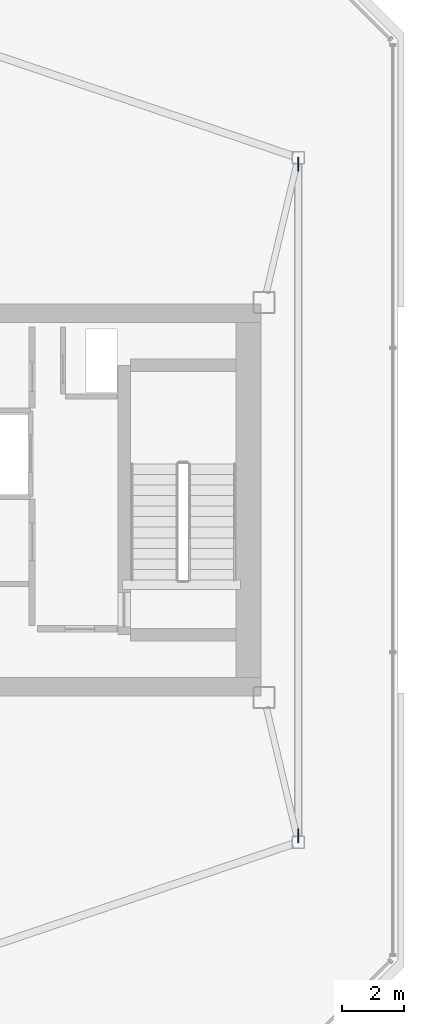
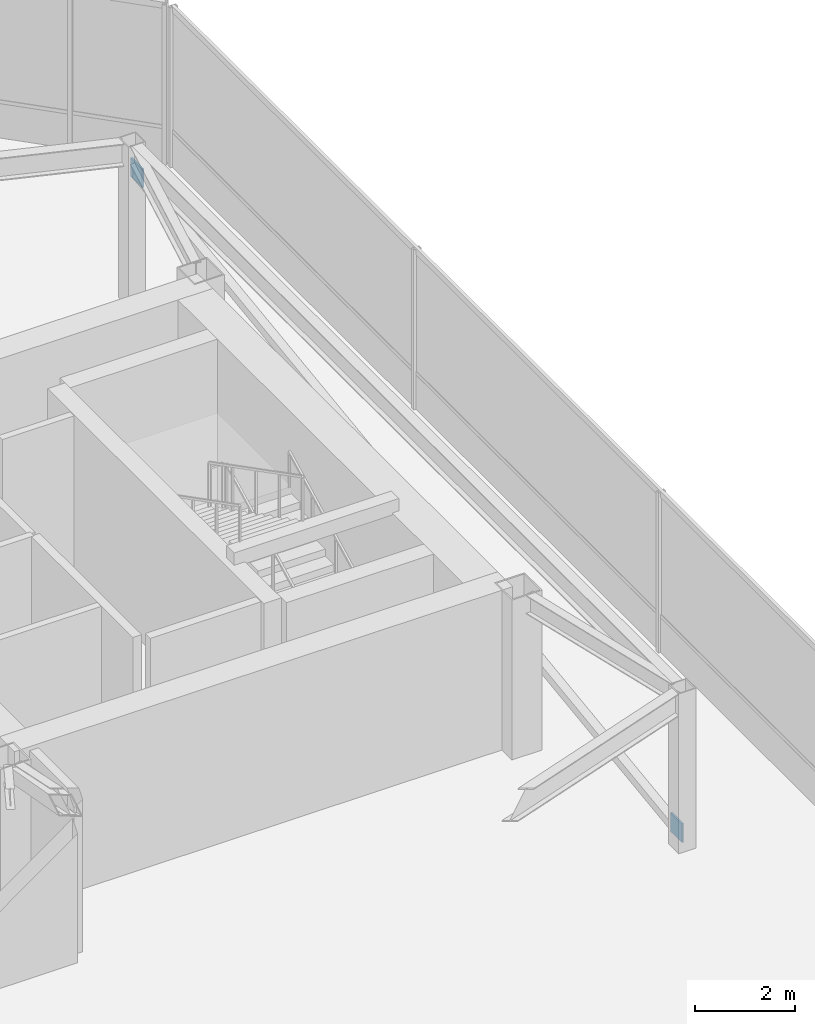
# One storey, part 20 of 21: 2 discrete accessories.
"""IFC4 building model written with IfcOpenShell, lengths in metres."""

import ifcopenshell
import ifcopenshell.guid

model = None  # the IFC model being written
_history = None  # IfcOwnerHistory: only IFC2X3 demands one
_inside = {}  # id of a spatial element -> (the spatial element, [elements in it])
_under = {}  # id of a project, library or spatial element -> (it, [spatial elements below it])
_declared = {}  # id of a project -> (the project, [libraries it declares])
_typed = {}  # id of a type object -> (the type object, [elements of that type])
_made_of = {}  # id of a material, layer set ... -> (it, [elements and type objects made of it])


def new_model(schema):
    """Start an empty IFC model of exactly this schema.

    Asked for "IFC4X3", IfcOpenShell would pick the latest addendum, in which some entities
    have other attributes; the version numbers below select the first issue.
    IFC2X3 requires an IfcOwnerHistory on every rooted entity: one is made here for all.
    """
    global model, _history
    if schema == "IFC4X3":
        model = ifcopenshell.file(schema_version=(4, 3, 0, 0))
    else:
        model = ifcopenshell.file(schema=schema)
    _inside.clear()
    _under.clear()
    _declared.clear()
    _typed.clear()
    _made_of.clear()
    _history = None
    if model.schema == "IFC2X3":
        org = make("IfcOrganization", Name="unknown")
        user = make(
            "IfcPersonAndOrganization",
            ThePerson=make("IfcPerson", FamilyName="unknown"),
            TheOrganization=org,
        )
        app = make(
            "IfcApplication",
            ApplicationDeveloper=org,
            Version="unknown",
            ApplicationFullName="unknown",
            ApplicationIdentifier="unknown",
        )
        _history = make(
            "IfcOwnerHistory",
            OwningUser=user,
            OwningApplication=app,
            ChangeAction="ADDED",
            CreationDate=0,
        )
    return model


def make(cls, **values):
    """One entity of the class cls with the attributes given. An attribute that is None is left unset."""
    return model.create_entity(
        cls, **{name: value for name, value in values.items() if value is not None}
    )


def rooted(cls, **values):
    """An entity with a GlobalId (a new one), such as an element, a storey or a relation."""
    return make(cls, GlobalId=ifcopenshell.guid.new(), OwnerHistory=_history, **values)


def si_unit(unit_type, name, prefix=None):
    """IfcSIUnit, for example si_unit("LENGTHUNIT", "METRE", prefix="MILLI")."""
    return make("IfcSIUnit", UnitType=unit_type, Prefix=prefix, Name=name)


def assignment(units):
    """IfcUnitAssignment: the units of a project."""
    return None if units is None else make("IfcUnitAssignment", Units=units)


def point(xyz):
    """IfcCartesianPoint."""
    return None if xyz is None else make("IfcCartesianPoint", Coordinates=xyz)


def direction(xyz):
    """IfcDirection."""
    return None if xyz is None else make("IfcDirection", DirectionRatios=xyz)


def frame(location, z_axis=None, x_axis=None):
    """IfcAxis2Placement3D, a coordinate frame: its origin and axes. An axis left out is left unset."""
    return make(
        "IfcAxis2Placement3D",
        Location=point(location),
        Axis=direction(z_axis),
        RefDirection=direction(x_axis),
    )


def frame_2d(location, x_axis=None):
    """IfcAxis2Placement2D, a coordinate frame in the plane: its origin and x axis."""
    return make(
        "IfcAxis2Placement2D", Location=point(location), RefDirection=direction(x_axis)
    )


def origin():
    """The frame at (0, 0, 0) with its axes left unset."""
    return frame((0.0, 0.0, 0.0))


def origin_2d():
    """The frame at (0, 0) in the plane with its x axis left unset."""
    return frame_2d((0.0, 0.0))


def place(relative_to, where):
    """IfcLocalPlacement: puts the frame where relative to a parent placement (None: the world)."""
    return make(
        "IfcLocalPlacement", PlacementRelTo=relative_to, RelativePlacement=where
    )


def context(
    kind, dimensions, precision=None, world=None, true_north=None, identifier=None
):
    """IfcGeometricRepresentationContext, for example the 3D "Model" context."""
    return make(
        "IfcGeometricRepresentationContext",
        ContextIdentifier=identifier,
        ContextType=kind,
        CoordinateSpaceDimension=dimensions,
        Precision=precision,
        WorldCoordinateSystem=world,
        TrueNorth=true_north,
    )


def subcontext(parent, identifier, kind, view, scale=None):
    """IfcGeometricRepresentationSubContext, for example "Body" below "Model"."""
    return make(
        "IfcGeometricRepresentationSubContext",
        ContextIdentifier=identifier,
        ContextType=kind,
        ParentContext=parent,
        TargetScale=scale,
        TargetView=view,
    )


def project(units=None, contexts=None):
    """IfcProject with its units and contexts."""
    return rooted(
        "IfcProject",
        Name="project",
        RepresentationContexts=contexts,
        UnitsInContext=assignment(units),
    )


def spatial(cls, under=None, at=None, **own):
    """A site, building, storey or space (cls), placed at a placement, below another one or the project."""
    s = rooted(cls, ObjectPlacement=at, **own)
    if under is not None:
        _under.setdefault(under.id(), (under, []))[1].append(s)
    return s


def profile(cls, at=None, kind="AREA", **sizes):
    """A parametric profile (cls). Its sizes go by their IFC names, for example OverallWidth=200.0."""
    return make(cls, ProfileType=kind, Position=at, **sizes)


def rectangle(**sizes):
    """IfcRectangleProfileDef."""
    return profile("IfcRectangleProfileDef", **sizes)


def extrude(swept, where, along, depth):
    """IfcExtrudedAreaSolid: the profile swept, set in the frame where, extruded along a direction by depth."""
    return make(
        "IfcExtrudedAreaSolid",
        SweptArea=swept,
        Position=where,
        ExtrudedDirection=direction(along),
        Depth=depth,
    )


def shape(context_of_items, identifier, shape_type, items):
    """IfcShapeRepresentation: the items that make up one representation, for example the "Body"."""
    return make(
        "IfcShapeRepresentation",
        ContextOfItems=context_of_items,
        RepresentationIdentifier=identifier,
        RepresentationType=shape_type,
        Items=items,
    )


def material(Name=None, Category=None):
    """IfcMaterial."""
    return make("IfcMaterial", Name=Name, Category=Category)


def made_of(thing, what):
    """Note that an element or type object is made of a material, layer set ...; save() writes the relation."""
    if what is not None:
        _made_of.setdefault(what.id(), (what, []))[1].append(thing)
    return thing


def type_object(cls, material=None, **own):
    """A type object (cls), such as IfcWallType, which elements share."""
    return made_of(rooted(cls, **own), material)


def element(
    cls,
    number,
    at=None,
    inside=None,
    cuts=None,
    type_object=None,
    material=None,
    context=None,
    identifier="Body",
    shape_type=None,
    held_by="IfcProductDefinitionShape",
    body=None,
    shapes=None,
    **own,
):
    """One element of the class cls, such as IfcWall. Its Tag is "e" and its number.

    at: its placement. inside: the storey or other place that contains it. cuts: it is an
    opening in that element (IfcRelVoidsElement). A single representation is given by context,
    identifier, shape_type and body (its items); several are given by shapes. held_by: the class
    of the entity that holds the representations. save() writes the other relations.
    """
    e = rooted(cls, Tag="e%d" % number, ObjectPlacement=at, **own)
    if body is not None:
        shapes = [shape(context, identifier, shape_type, body)]
    if shapes is not None:
        e.Representation = make(held_by, Representations=shapes)
    if inside is not None:
        _inside.setdefault(inside.id(), (inside, []))[1].append(e)
    if cuts is not None:
        rooted(
            "IfcRelVoidsElement", RelatingBuildingElement=cuts, RelatedOpeningElement=e
        )
    if type_object is not None:
        _typed.setdefault(type_object.id(), (type_object, []))[1].append(e)
    return made_of(e, material)


def aggregate(whole, parts):
    """IfcRelAggregates: a whole, such as a stair, and the parts it consists of."""
    return rooted("IfcRelAggregates", RelatingObject=whole, RelatedObjects=parts)


def save(model, path):
    """Write the relations noted so far, then the file.

    IfcRelAggregates (storeys below a building ...), IfcRelContainedInSpatialStructure (elements
    in a storey), IfcRelDefinesByType, IfcRelAssociatesMaterial and IfcRelDeclares: one each for
    every whole, place, type object, material and project.
    """
    for whole, parts in _under.values():
        aggregate(whole, parts)
    for where, things in _inside.values():
        rooted(
            "IfcRelContainedInSpatialStructure",
            RelatedElements=things,
            RelatingStructure=where,
        )
    for kind, things in _typed.values():
        rooted("IfcRelDefinesByType", RelatedObjects=things, RelatingType=kind)
    for what, things in _made_of.values():
        rooted("IfcRelAssociatesMaterial", RelatedObjects=things, RelatingMaterial=what)
    for by, libraries in _declared.values():
        rooted("IfcRelDeclares", RelatingContext=by, RelatedDefinitions=libraries)
    model.write(path)


model = new_model("IFC4")

# Units and contexts
model_context = context("Model", 3, precision=1e-05, world=origin(), true_north=direction((0.0, 1.0)))
body_context = subcontext(model_context, "Body", "Model", "MODEL_VIEW")
ifc_project = project(units=[si_unit("LENGTHUNIT", "METRE"), si_unit("AREAUNIT", "SQUARE_METRE"), si_unit("VOLUMEUNIT", "CUBIC_METRE"), si_unit("PLANEANGLEUNIT", "RADIAN"), si_unit("MASSUNIT", "GRAM", prefix="KILO")], contexts=[model_context])

# Site, building, storey
site_placement = place(None, origin())
site = spatial("IfcSite", under=ifc_project, at=site_placement, CompositionType="ELEMENT")
building_placement = place(site_placement, origin())
building = spatial("IfcBuilding", under=site, at=building_placement, Name="Tavrogorsk Clinical Tower", CompositionType="ELEMENT")
storey_placement = place(building_placement, frame((0.0, 0.0, 348.60009765625)))
storey = spatial("IfcBuildingStorey", under=building, at=storey_placement, Name="L81", CompositionType="ELEMENT", Elevation=348.60009765625)

# Discrete accessories
ifc_material = material(Name="Structural steel S440", Category="steel")
discrete_accessory_type = type_object("IfcDiscreteAccessoryType", Name="GussetPlateBracket_25", PredefinedType="BRACKET", material=ifc_material)
for number, where, z_axis, x_axis, name in (
    (1, (23.199951171875, -10.791748046875, 0.097900390625), (0.0, 0.0, 1.0), (0.0, 1.0, 0.0), "L81 Brace Gusset Plate CRNBR-L81-2-A"),
    (2, (23.199951171875, 10.791748046875, 2.991943359375), (0.0, 0.0, 1.0), (0.0, 1.0, 0.0), "L81 Brace Gusset Plate CRNBR-L81-2-B"),
):
    element("IfcDiscreteAccessory", number, at=place(storey_placement, frame(where, z_axis=z_axis, x_axis=x_axis)), inside=storey, type_object=discrete_accessory_type, Name=name, PredefinedType="BRACKET", context=body_context, shape_type="SweptSolid", body=[
        extrude(rectangle(XDim=0.4599609375, YDim=0.0400390625, at=origin_2d()), origin(), (0.0, 0.0, 1.0), 0.4599609375),
    ])

save(model, "model.ifc")
